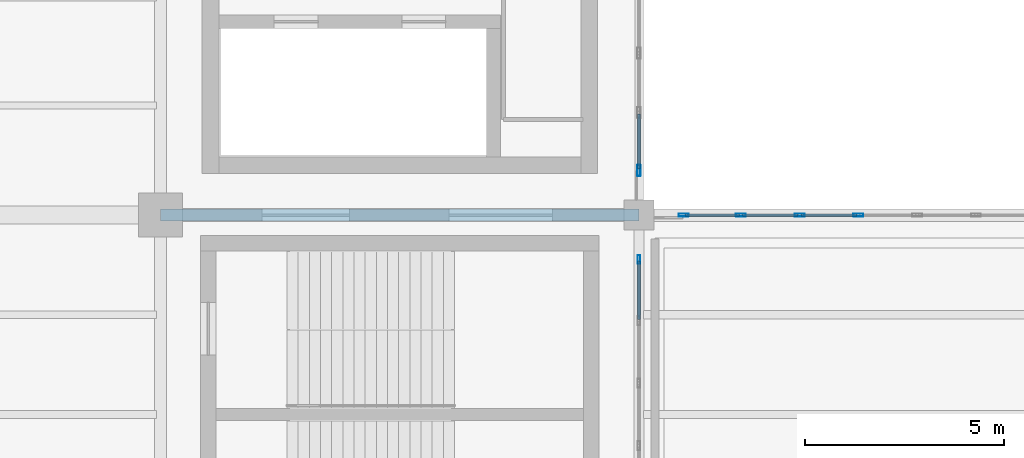
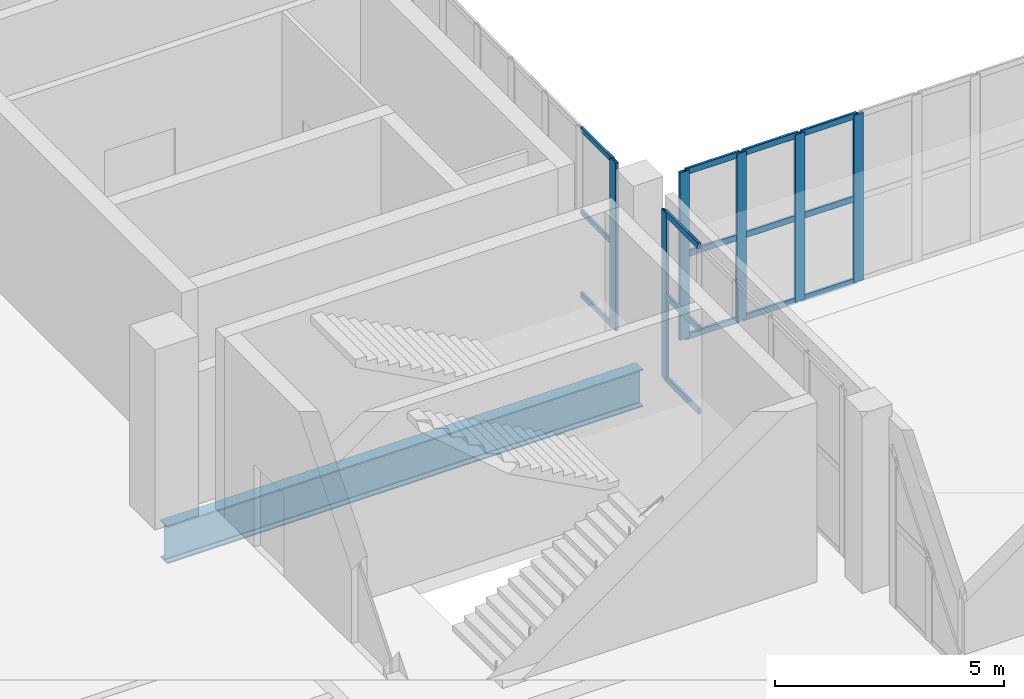
# One storey, part 82 of 136: 21 members, 1 beam, 3 elements without a shape of their own.
"""IFC4 building model written with IfcOpenShell, lengths in metres."""

from ifc_helpers import new_model, si_unit, direction, frame, origin, origin_2d, place, context, subcontext, project, spatial, hollow_rectangle, i_section, extrude, material, layer, layer_set, material_profile, profile_set, type_object, element, aggregate, save


model = new_model("IFC4")

# Units and contexts
model_context = context("Model", 3, precision=1e-05, world=origin(), true_north=direction((0.0, 1.0)))
body_context = subcontext(model_context, "Body", "Model", "MODEL_VIEW")
ifc_project = project(units=[si_unit("LENGTHUNIT", "METRE"), si_unit("AREAUNIT", "SQUARE_METRE"), si_unit("VOLUMEUNIT", "CUBIC_METRE"), si_unit("PLANEANGLEUNIT", "RADIAN"), si_unit("MASSUNIT", "GRAM", prefix="KILO")], contexts=[model_context])

# Site, building, storey
site_placement = place(None, origin())
site = spatial("IfcSite", under=ifc_project, at=site_placement, CompositionType="ELEMENT")
building_placement = place(site_placement, origin())
building = spatial("IfcBuilding", under=site, at=building_placement, Name="Brinegate Civic Arena", CompositionType="ELEMENT")
storey_placement = place(building_placement, frame((0.0, 0.0, 5.39990234375)))
storey = spatial("IfcBuildingStorey", under=building, at=storey_placement, Name="L01", CompositionType="ELEMENT", Elevation=5.39990234375)

# Curtain wall, member
ifc_material_1 = material(Name="Marine grade aluminium", Category="aluminium")
ifc_layer_1 = layer(ifc_material_1, 0.199951171875, Name="Marine grade aluminium")
ifc_layer_set_1 = layer_set([ifc_layer_1], Name="Marine grade aluminium")
curtain_wall_type_1 = type_object("IfcCurtainWallType", Name="CW-BOWL-GLAZED-01", PredefinedType="USERDEFINED", material=ifc_layer_set_1)
curtain_wall_1_placement = place(storey_placement, origin())
curtain_wall_1 = element("IfcCurtainWall", 1, at=curtain_wall_1_placement, inside=storey, type_object=curtain_wall_type_1, Name="Curtain Wall CWA-055", ObjectType="GLAZED CURTAIN WALL", PredefinedType="USERDEFINED")
ifc_material_profile_1 = material_profile(ifc_material_1, hollow_rectangle(XDim=0.06494140625, YDim=0.219970703125, WallThickness=0.006103515625, InnerFilletRadius=0.00390625, OuterFilletRadius=0.008056640625, at=origin_2d()), Name="MUL65X220")
ifc_profile_set_1 = profile_set([ifc_material_profile_1], Name="Marine grade aluminium")
member_type_1 = type_object("IfcMemberType", Name="CW-MULLION-65X220", PredefinedType="MULLION", material=ifc_profile_set_1)
member_1_placement = place(storey_placement, frame((168.0, 80.887451171875, 0.0), z_axis=(0.0, 0.0, 1.0), x_axis=(-1.0, 0.0, 0.0)))
member_1 = element("IfcMember", 2, at=member_1_placement, type_object=member_type_1, Name="CWA-055 mullion 6", PredefinedType="MULLION", context=body_context, shape_type="SweptSolid", body=[
    extrude(hollow_rectangle(XDim=0.06494140625, YDim=0.219970703125, WallThickness=0.006103515625, InnerFilletRadius=0.00390625, OuterFilletRadius=0.008056640625, at=origin_2d()), origin(), (0.0, 0.0, 1.0), 4.47021484375),
])

# Curtain wall, members
ifc_layer_2 = layer(ifc_material_1, 0.18505859375, Name="Marine grade aluminium")
ifc_layer_set_2 = layer_set([ifc_layer_2], Name="Marine grade aluminium")
curtain_wall_type_2 = type_object("IfcCurtainWallType", Name="CW-WING-GLAZED-03", PredefinedType="USERDEFINED", material=ifc_layer_set_2)
curtain_wall_2_placement = place(storey_placement, origin())
curtain_wall_2 = element("IfcCurtainWall", 3, at=curtain_wall_2_placement, inside=storey, type_object=curtain_wall_type_2, Name="Curtain Wall CWA-040", ObjectType="GLAZED CURTAIN WALL", PredefinedType="USERDEFINED")
ifc_material_profile_2 = material_profile(ifc_material_1, hollow_rectangle(XDim=0.074951171875, YDim=0.25, WallThickness=0.006103515625, InnerFilletRadius=0.00390625, OuterFilletRadius=0.008056640625, at=origin_2d()), Name="MUL75X250")
ifc_profile_set_2 = profile_set([ifc_material_profile_2], Name="Marine grade aluminium")
member_type_2 = type_object("IfcMemberType", Name="CW-MULLION-75X250", PredefinedType="MULLION", material=ifc_profile_set_2)
member_2_placement = place(storey_placement, frame((169.117431640625, 82.0, 0.0), z_axis=(0.0, 0.0, 1.0), x_axis=(0.0, 1.0, 0.0)))
member_2 = element("IfcMember", 4, at=member_2_placement, type_object=member_type_2, Name="CWA-040 mullion 1", PredefinedType="MULLION", context=body_context, shape_type="SweptSolid", body=[
    extrude(hollow_rectangle(XDim=0.074951171875, YDim=0.25, WallThickness=0.006103515625, InnerFilletRadius=0.00390625, OuterFilletRadius=0.008056640625, at=origin_2d()), origin(), (0.0, 0.0, 1.0), 4.47021484375),
])
member_3_placement = place(storey_placement, frame((170.55419921875, 82.0, 0.0), z_axis=(0.0, 0.0, 1.0), x_axis=(0.0, 1.0, 0.0)))
member_3 = element("IfcMember", 5, at=member_3_placement, type_object=member_type_2, Name="CWA-040 mullion 2", PredefinedType="MULLION", context=body_context, shape_type="SweptSolid", body=[
    extrude(hollow_rectangle(XDim=0.074951171875, YDim=0.25, WallThickness=0.006103515625, InnerFilletRadius=0.00390625, OuterFilletRadius=0.008056640625, at=origin_2d()), origin(), (0.0, 0.0, 1.0), 4.47021484375),
])
member_4_placement = place(storey_placement, frame((172.028564453125, 82.0, 0.0), z_axis=(0.0, 0.0, 1.0), x_axis=(0.0, 1.0, 0.0)))
member_4 = element("IfcMember", 6, at=member_4_placement, type_object=member_type_2, Name="CWA-040 mullion 3", PredefinedType="MULLION", context=body_context, shape_type="SweptSolid", body=[
    extrude(hollow_rectangle(XDim=0.074951171875, YDim=0.25, WallThickness=0.006103515625, InnerFilletRadius=0.00390625, OuterFilletRadius=0.008056640625, at=origin_2d()), origin(), (0.0, 0.0, 1.0), 4.47021484375),
])
member_5_placement = place(storey_placement, frame((173.5029296875, 82.0, 0.0), z_axis=(0.0, 0.0, 1.0), x_axis=(0.0, 1.0, 0.0)))
member_5 = element("IfcMember", 7, at=member_5_placement, type_object=member_type_2, Name="CWA-040 mullion 4", PredefinedType="MULLION", context=body_context, shape_type="SweptSolid", body=[
    extrude(hollow_rectangle(XDim=0.074951171875, YDim=0.25, WallThickness=0.006103515625, InnerFilletRadius=0.00390625, OuterFilletRadius=0.008056640625, at=origin_2d()), origin(), (0.0, 0.0, 1.0), 4.47021484375),
])

curtain_wall_3_placement = place(storey_placement, origin())
curtain_wall_3 = element("IfcCurtainWall", 8, at=curtain_wall_3_placement, inside=storey, type_object=curtain_wall_type_1, Name="Curtain Wall CWA-057", ObjectType="GLAZED CURTAIN WALL", PredefinedType="USERDEFINED")
ifc_material_profile_3 = material_profile(ifc_material_1, hollow_rectangle(XDim=0.080078125, YDim=0.280029296875, WallThickness=0.007080078125, InnerFilletRadius=0.0048828125, OuterFilletRadius=0.010009765625, at=origin_2d()), Name="MUL80X280")
ifc_profile_set_3 = profile_set([ifc_material_profile_3], Name="Marine grade aluminium")
member_type_3 = type_object("IfcMemberType", Name="CW-MULLION-80X280", PredefinedType="MULLION", material=ifc_profile_set_3)
member_6_placement = place(storey_placement, frame((168.0, 83.1201171875, 0.0), z_axis=(0.0, 0.0, 1.0), x_axis=(-1.0, 0.0, 0.0)))
member_6 = element("IfcMember", 9, at=member_6_placement, type_object=member_type_3, Name="CWA-057 mullion 1", PredefinedType="MULLION", context=body_context, shape_type="SweptSolid", body=[
    extrude(hollow_rectangle(XDim=0.080078125, YDim=0.280029296875, WallThickness=0.007080078125, InnerFilletRadius=0.0048828125, OuterFilletRadius=0.010009765625, at=origin_2d()), origin(), (0.0, 0.0, 1.0), 4.47021484375),
])
ifc_material_profile_4 = material_profile(ifc_material_1, hollow_rectangle(XDim=0.06494140625, YDim=0.139892578125, WallThickness=0.0048828125, InnerFilletRadius=0.00390625, OuterFilletRadius=0.008056640625, at=origin_2d()), Name="TRN65X140")
ifc_profile_set_4 = profile_set([ifc_material_profile_4], Name="Marine grade aluminium")
member_type_4 = type_object("IfcMemberType", Name="CW-TRANSOM-65X140", PredefinedType="USERDEFINED", material=ifc_profile_set_4)
member_7_placement = place(storey_placement, frame((168.0, 83.159912109375, 0.03271484375), z_axis=(0.0, 1.0, 0.0), x_axis=(-1.0, 0.0, 0.0)))
member_7 = element("IfcMember", 10, at=member_7_placement, type_object=member_type_4, Name="CWA-057 transom 1.1", ObjectType="TRANSOM", PredefinedType="USERDEFINED", context=body_context, shape_type="SweptSolid", body=[
    extrude(hollow_rectangle(XDim=0.06494140625, YDim=0.139892578125, WallThickness=0.0048828125, InnerFilletRadius=0.00390625, OuterFilletRadius=0.008056640625, at=origin_2d()), origin(), (0.0, 0.0, 1.0), 1.37109375),
])
member_8_placement = place(storey_placement, frame((168.0, 83.159912109375, 2.235107421875), z_axis=(0.0, 1.0, 0.0), x_axis=(-1.0, 0.0, 0.0)))
member_8 = element("IfcMember", 11, at=member_8_placement, type_object=member_type_4, Name="CWA-057 transom 1.2", ObjectType="TRANSOM", PredefinedType="USERDEFINED", context=body_context, shape_type="SweptSolid", body=[
    extrude(hollow_rectangle(XDim=0.06494140625, YDim=0.139892578125, WallThickness=0.0048828125, InnerFilletRadius=0.00390625, OuterFilletRadius=0.008056640625, at=origin_2d()), origin(), (0.0, 0.0, 1.0), 1.37109375),
])
member_9_placement = place(storey_placement, frame((168.0, 83.159912109375, 4.4375), z_axis=(0.0, 1.0, 0.0), x_axis=(-1.0, 0.0, 0.0)))
member_9 = element("IfcMember", 12, at=member_9_placement, type_object=member_type_4, Name="CWA-057 transom 1.3", ObjectType="TRANSOM", PredefinedType="USERDEFINED", context=body_context, shape_type="SweptSolid", body=[
    extrude(hollow_rectangle(XDim=0.06494140625, YDim=0.139892578125, WallThickness=0.0048828125, InnerFilletRadius=0.00390625, OuterFilletRadius=0.008056640625, at=origin_2d()), origin(), (0.0, 0.0, 1.0), 1.37109375),
])
aggregate(curtain_wall_3, [member_6, member_7, member_8, member_9])

# Member
ifc_material_profile_5 = material_profile(ifc_material_1, hollow_rectangle(XDim=0.06494140625, YDim=0.1650390625, WallThickness=0.0048828125, InnerFilletRadius=0.00390625, OuterFilletRadius=0.008056640625, at=origin_2d()), Name="TRN65X165")
ifc_profile_set_5 = profile_set([ifc_material_profile_5], Name="Marine grade aluminium")
member_type_5 = type_object("IfcMemberType", Name="CW-TRANSOM-65X165", PredefinedType="USERDEFINED", material=ifc_profile_set_5)
member_10_placement = place(storey_placement, frame((169.155029296875, 82.0, 0.03271484375), z_axis=(1.0, 0.0, 0.0), x_axis=(0.0, 1.0, 0.0)))
member_10 = element("IfcMember", 13, at=member_10_placement, type_object=member_type_5, Name="CWA-040 transom 1.1", ObjectType="TRANSOM", PredefinedType="USERDEFINED", context=body_context, shape_type="SweptSolid", body=[
    extrude(hollow_rectangle(XDim=0.06494140625, YDim=0.1650390625, WallThickness=0.0048828125, InnerFilletRadius=0.00390625, OuterFilletRadius=0.008056640625, at=origin_2d()), origin(), (0.0, 0.0, 1.0), 1.36181640625),
])

member_11_placement = place(storey_placement, frame((169.155029296875, 82.0, 2.235107421875), z_axis=(1.0, 0.0, 0.0), x_axis=(0.0, 1.0, 0.0)))
member_11 = element("IfcMember", 14, at=member_11_placement, type_object=member_type_5, Name="CWA-040 transom 1.2", ObjectType="TRANSOM", PredefinedType="USERDEFINED", context=body_context, shape_type="SweptSolid", body=[
    extrude(hollow_rectangle(XDim=0.06494140625, YDim=0.1650390625, WallThickness=0.0048828125, InnerFilletRadius=0.00390625, OuterFilletRadius=0.008056640625, at=origin_2d()), origin(), (0.0, 0.0, 1.0), 1.36181640625),
])

member_12_placement = place(storey_placement, frame((169.155029296875, 82.0, 4.4375), z_axis=(1.0, 0.0, 0.0), x_axis=(0.0, 1.0, 0.0)))
member_12 = element("IfcMember", 15, at=member_12_placement, type_object=member_type_5, Name="CWA-040 transom 1.3", ObjectType="TRANSOM", PredefinedType="USERDEFINED", context=body_context, shape_type="SweptSolid", body=[
    extrude(hollow_rectangle(XDim=0.06494140625, YDim=0.1650390625, WallThickness=0.0048828125, InnerFilletRadius=0.00390625, OuterFilletRadius=0.008056640625, at=origin_2d()), origin(), (0.0, 0.0, 1.0), 1.36181640625),
])

member_13_placement = place(storey_placement, frame((170.591796875, 82.0, 0.03271484375), z_axis=(1.0, 0.0, 0.0), x_axis=(0.0, 1.0, 0.0)))
member_13 = element("IfcMember", 16, at=member_13_placement, type_object=member_type_5, Name="CWA-040 transom 2.1", ObjectType="TRANSOM", PredefinedType="USERDEFINED", context=body_context, shape_type="SweptSolid", body=[
    extrude(hollow_rectangle(XDim=0.06494140625, YDim=0.1650390625, WallThickness=0.0048828125, InnerFilletRadius=0.00390625, OuterFilletRadius=0.008056640625, at=origin_2d()), origin(), (0.0, 0.0, 1.0), 1.399169921875),
])

member_14_placement = place(storey_placement, frame((170.591796875, 82.0, 2.235107421875), z_axis=(1.0, 0.0, 0.0), x_axis=(0.0, 1.0, 0.0)))
member_14 = element("IfcMember", 17, at=member_14_placement, type_object=member_type_5, Name="CWA-040 transom 2.2", ObjectType="TRANSOM", PredefinedType="USERDEFINED", context=body_context, shape_type="SweptSolid", body=[
    extrude(hollow_rectangle(XDim=0.06494140625, YDim=0.1650390625, WallThickness=0.0048828125, InnerFilletRadius=0.00390625, OuterFilletRadius=0.008056640625, at=origin_2d()), origin(), (0.0, 0.0, 1.0), 1.399169921875),
])

member_15_placement = place(storey_placement, frame((170.591796875, 82.0, 4.4375), z_axis=(1.0, 0.0, 0.0), x_axis=(0.0, 1.0, 0.0)))
member_15 = element("IfcMember", 18, at=member_15_placement, type_object=member_type_5, Name="CWA-040 transom 2.3", ObjectType="TRANSOM", PredefinedType="USERDEFINED", context=body_context, shape_type="SweptSolid", body=[
    extrude(hollow_rectangle(XDim=0.06494140625, YDim=0.1650390625, WallThickness=0.0048828125, InnerFilletRadius=0.00390625, OuterFilletRadius=0.008056640625, at=origin_2d()), origin(), (0.0, 0.0, 1.0), 1.399169921875),
])

member_16_placement = place(storey_placement, frame((172.066162109375, 82.0, 0.03271484375), z_axis=(1.0, 0.0, 0.0), x_axis=(0.0, 1.0, 0.0)))
member_16 = element("IfcMember", 19, at=member_16_placement, type_object=member_type_5, Name="CWA-040 transom 3.1", ObjectType="TRANSOM", PredefinedType="USERDEFINED", context=body_context, shape_type="SweptSolid", body=[
    extrude(hollow_rectangle(XDim=0.06494140625, YDim=0.1650390625, WallThickness=0.0048828125, InnerFilletRadius=0.00390625, OuterFilletRadius=0.008056640625, at=origin_2d()), origin(), (0.0, 0.0, 1.0), 1.399169921875),
])

member_17_placement = place(storey_placement, frame((172.066162109375, 82.0, 2.235107421875), z_axis=(1.0, 0.0, 0.0), x_axis=(0.0, 1.0, 0.0)))
member_17 = element("IfcMember", 20, at=member_17_placement, type_object=member_type_5, Name="CWA-040 transom 3.2", ObjectType="TRANSOM", PredefinedType="USERDEFINED", context=body_context, shape_type="SweptSolid", body=[
    extrude(hollow_rectangle(XDim=0.06494140625, YDim=0.1650390625, WallThickness=0.0048828125, InnerFilletRadius=0.00390625, OuterFilletRadius=0.008056640625, at=origin_2d()), origin(), (0.0, 0.0, 1.0), 1.399169921875),
])

member_18_placement = place(storey_placement, frame((172.066162109375, 82.0, 4.4375), z_axis=(1.0, 0.0, 0.0), x_axis=(0.0, 1.0, 0.0)))
member_18 = element("IfcMember", 21, at=member_18_placement, type_object=member_type_5, Name="CWA-040 transom 3.3", ObjectType="TRANSOM", PredefinedType="USERDEFINED", context=body_context, shape_type="SweptSolid", body=[
    extrude(hollow_rectangle(XDim=0.06494140625, YDim=0.1650390625, WallThickness=0.0048828125, InnerFilletRadius=0.00390625, OuterFilletRadius=0.008056640625, at=origin_2d()), origin(), (0.0, 0.0, 1.0), 1.399169921875),
])

aggregate(curtain_wall_2, [member_2, member_3, member_4, member_5, member_10, member_11, member_12, member_13, member_14, member_15, member_16, member_17, member_18])

member_19_placement = place(storey_placement, frame((168.0, 79.384521484375, 0.03271484375), z_axis=(0.0, 1.0, 0.0), x_axis=(-1.0, 0.0, 0.0)))
member_19 = element("IfcMember", 22, at=member_19_placement, type_object=member_type_5, Name="CWA-055 transom 5.1", ObjectType="TRANSOM", PredefinedType="USERDEFINED", context=body_context, shape_type="SweptSolid", body=[
    extrude(hollow_rectangle(XDim=0.06494140625, YDim=0.1650390625, WallThickness=0.0048828125, InnerFilletRadius=0.00390625, OuterFilletRadius=0.008056640625, at=origin_2d()), origin(), (0.0, 0.0, 1.0), 1.470458984375),
])

member_20_placement = place(storey_placement, frame((168.0, 79.384521484375, 2.235107421875), z_axis=(0.0, 1.0, 0.0), x_axis=(-1.0, 0.0, 0.0)))
member_20 = element("IfcMember", 23, at=member_20_placement, type_object=member_type_5, Name="CWA-055 transom 5.2", ObjectType="TRANSOM", PredefinedType="USERDEFINED", context=body_context, shape_type="SweptSolid", body=[
    extrude(hollow_rectangle(XDim=0.06494140625, YDim=0.1650390625, WallThickness=0.0048828125, InnerFilletRadius=0.00390625, OuterFilletRadius=0.008056640625, at=origin_2d()), origin(), (0.0, 0.0, 1.0), 1.470458984375),
])

member_21_placement = place(storey_placement, frame((168.0, 79.384521484375, 4.4375), z_axis=(0.0, 1.0, 0.0), x_axis=(-1.0, 0.0, 0.0)))
member_21 = element("IfcMember", 24, at=member_21_placement, type_object=member_type_5, Name="CWA-055 transom 5.3", ObjectType="TRANSOM", PredefinedType="USERDEFINED", context=body_context, shape_type="SweptSolid", body=[
    extrude(hollow_rectangle(XDim=0.06494140625, YDim=0.1650390625, WallThickness=0.0048828125, InnerFilletRadius=0.00390625, OuterFilletRadius=0.008056640625, at=origin_2d()), origin(), (0.0, 0.0, 1.0), 1.470458984375),
])

aggregate(curtain_wall_1, [member_1, member_19, member_20, member_21])

# Beam
ifc_material_2 = material(Name="Steel S355", Category="steel")
ifc_material_profile_6 = material_profile(ifc_material_2, i_section(OverallWidth=0.300048828125, OverallDepth=1.0, WebThickness=0.01904296875, FlangeThickness=0.031982421875, FilletRadius=0.02392578125, at=origin_2d()), Name="W1000X321")
ifc_profile_set_6 = profile_set([ifc_material_profile_6], Name="Steel S355")
beam_type = type_object("IfcBeamType", Name="GIRDER-W1000X321", PredefinedType="BEAM", material=ifc_profile_set_6)
beam_placement = place(storey_placement, frame((156.0, 82.0, -0.83984375), z_axis=(1.0, 0.0, 0.0), x_axis=(0.0, 1.0, 0.0)))
element("IfcBeam", 25, at=beam_placement, inside=storey, type_object=beam_type, Name="Floor Girder BM-L01-GX-13-08", PredefinedType="BEAM", context=body_context, shape_type="SweptSolid", body=[
    extrude(i_section(OverallWidth=0.300048828125, OverallDepth=1.0, WebThickness=0.01904296875, FlangeThickness=0.031982421875, FilletRadius=0.02392578125, at=origin_2d()), origin(), (0.0, 0.0, 1.0), 12.0),
])

save(model, "model.ifc")
